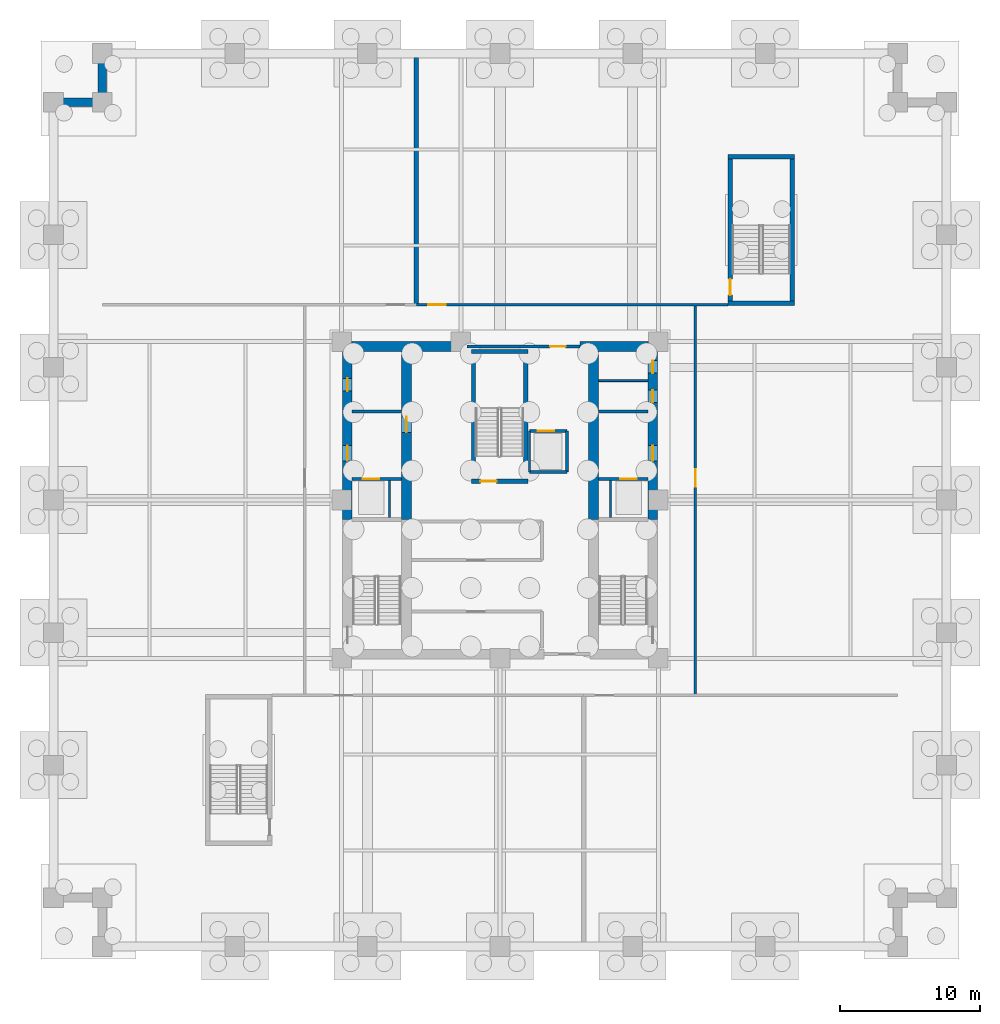
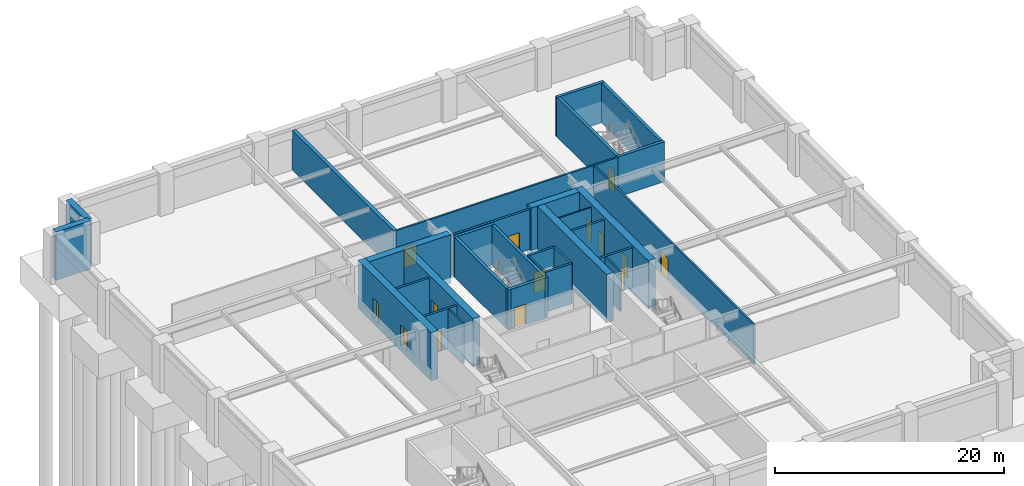
# One storey, part 4 of 8: 31 walls, 14 doors, 14 openings.
"""IFC4 building model written with IfcOpenShell, lengths in metres."""

from ifc_helpers import new_model, si_unit, direction, frame, frame_2d, origin, place, context, subcontext, project, spatial, rectangle, extrude, material, layer, layer_set, type_object, element, fill, save


model = new_model("IFC4")

# Units and contexts
model_context = context("Model", 3, precision=1e-05, world=origin(), true_north=direction((0.0, 1.0)))
body_context = subcontext(model_context, "Body", "Model", "MODEL_VIEW")
ifc_project = project(units=[si_unit("LENGTHUNIT", "METRE"), si_unit("AREAUNIT", "SQUARE_METRE"), si_unit("VOLUMEUNIT", "CUBIC_METRE"), si_unit("PLANEANGLEUNIT", "RADIAN"), si_unit("MASSUNIT", "GRAM", prefix="KILO")], contexts=[model_context])

# Site, building, storey
site_placement = place(None, origin())
site = spatial("IfcSite", under=ifc_project, at=site_placement, CompositionType="ELEMENT")
building_placement = place(site_placement, origin())
building = spatial("IfcBuilding", under=site, at=building_placement, Name="Nhamokura Convention Tower", CompositionType="ELEMENT")
storey_placement = place(building_placement, frame((0.0, 0.0, -9.10009765625)))
storey = spatial("IfcBuildingStorey", under=building, at=storey_placement, Name="B02", CompositionType="ELEMENT", Elevation=-9.10009765625)

# Walls
ifc_material_1 = material(Name="Concrete C50/60", Category="concrete")
ifc_layer_1 = layer(ifc_material_1, 0.60009765625)
ifc_layer_set_1 = layer_set([ifc_layer_1], Name="BasementRetainingWall_600")
wall_type_1 = type_object("IfcWallType", Name="BasementRetainingWall_600", PredefinedType="USERDEFINED", material=ifc_layer_set_1)
for number, where, z_axis, x_axis, name in (
    (1, (3.5, 64.0, -0.599853515625), (0.0, 0.0, 1.0), (0.0, -1.0, 0.0), "B02 Perimeter Retaining Wall 08"),
    (2, (3.5, 60.5, -0.599853515625), (0.0, 0.0, 1.0), (-1.0, 0.0, 0.0), "B02 Perimeter Retaining Wall 09"),
):
    element("IfcWall", number, at=place(storey_placement, frame(where, z_axis=z_axis, x_axis=x_axis)), inside=storey, type_object=wall_type_1, Name=name, ObjectType="RETAININGWALL", PredefinedType="USERDEFINED", context=body_context, shape_type="SweptSolid", body=[
        extrude(rectangle(XDim=3.5, YDim=0.60009765625, at=frame_2d((1.75, 0.0))), origin(), (0.0, 0.0, 1.0), 5.14990234375),
    ])
ifc_material_2 = material(Name="Moisture-resistant tile-backer partition", Category="masonry")
ifc_layer_2 = layer(ifc_material_2, 0.139892578125)
ifc_layer_set_2 = layer_set([ifc_layer_2], Name="BathroomWetWall_140")
wall_type_2 = type_object("IfcWallType", Name="BathroomWetWall_140", PredefinedType="STANDARD", material=ifc_layer_set_2)
wall_1_placement = place(storey_placement, frame((39.06005859375, 40.550048828125, 0.0), z_axis=(0.0, 0.0, 1.0), x_axis=(1.0, 0.0, 0.0)))
element("IfcWall", 3, at=wall_1_placement, inside=storey, type_object=wall_type_2, Name="B02 Wall INT-B02-CWNE", PredefinedType="STANDARD", context=body_context, shape_type="SweptSolid", body=[
    extrude(rectangle(XDim=3.530029296875, YDim=0.139892578125, at=frame_2d((1.76513671875, 0.0))), origin(), (0.0, 0.0, 1.0), 4.25),
])

# Wall, openings, doors
ifc_material_3 = material(Name="Concrete C70/85", Category="concrete")
ifc_layer_3 = layer(ifc_material_3, 0.699951171875)
ifc_layer_set_3 = layer_set([ifc_layer_3], Name="CoreShearWall_700")
wall_type_3 = type_object("IfcWallType", Name="CoreShearWall_700", PredefinedType="SHEAR", material=ifc_layer_set_3)
wall_2_placement = place(storey_placement, frame((21.06005859375, 30.60009765625, -0.599853515625), z_axis=(0.0, 0.0, 1.0), x_axis=(0.0, 1.0, 0.0)))
wall_2 = element("IfcWall", 4, at=wall_2_placement, inside=storey, type_object=wall_type_3, Name="B02 Core Shear Wall CW-WN", PredefinedType="SHEAR", context=body_context, shape_type="SweptSolid", body=[
    extrude(rectangle(XDim=12.75, YDim=0.699951171875, at=frame_2d((6.375, 0.0))), origin(), (0.0, 0.0, 1.0), 5.14990234375),
])
opening_1_placement = place(wall_2_placement, frame((4.199951171875, 0.0, 0.60009765625)))
opening_1 = element("IfcOpeningElement", 5, at=opening_1_placement, cuts=wall_2, Name="Opening D-05", PredefinedType="OPENING", context=body_context, shape_type="SweptSolid", body=[
    extrude(rectangle(XDim=1.10009765625, YDim=2.14990234375, at=frame_2d((0.550048828125, 1.074951171875))), frame((0.0, 0.35986328125, 0.0), z_axis=(0.0, -1.0, 0.0), x_axis=(1.0, 0.0, 0.0)), (0.0, 0.0, 1.0), 0.719970703125),
])
opening_2_placement = place(wall_2_placement, frame((9.199951171875, 0.0, 0.60009765625)))
opening_2 = element("IfcOpeningElement", 6, at=opening_2_placement, cuts=wall_2, Name="Opening D-10", PredefinedType="OPENING", context=body_context, shape_type="SweptSolid", body=[
    extrude(rectangle(XDim=0.919921875, YDim=2.10009765625, at=frame_2d((0.4599609375, 1.050048828125))), frame((0.0, 0.35986328125, 0.0), z_axis=(0.0, -1.0, 0.0), x_axis=(1.0, 0.0, 0.0)), (0.0, 0.0, 1.0), 0.719970703125),
])
ifc_material_4 = material(Name="Solid oak hardwood", Category="wood")
door_type_1 = type_object("IfcDoorType", Name="AccessibleWCDoor_920", OperationType="NOTDEFINED", PredefinedType="DOOR", material=ifc_material_4)
door_1_placement = place(opening_2_placement, origin())
door_1 = element("IfcDoor", 7, at=door_1_placement, inside=storey, type_object=door_type_1, Name="B02 Core Door INT-B02-D-AWC", OperationType="SINGLE_SWING_LEFT", OverallHeight=2.10009765625, OverallWidth=0.919921875, PredefinedType="DOOR", context=body_context, shape_type="SweptSolid", body=[
    extrude(rectangle(XDim=0.919921875, YDim=2.10009765625, at=frame_2d((0.4599609375, 1.050048828125))), frame((0.0, 0.02490234375, 0.0), z_axis=(0.0, -1.0, 0.0), x_axis=(1.0, 0.0, 0.0)), (0.0, 0.0, 1.0), 0.050048828125),
])
fill(opening_2, door_1)
ifc_material_5 = material(Name="Fire-rated steel door", Category="steel")
door_type_2 = type_object("IfcDoorType", Name="FireLobbyDoor_1100", OperationType="NOTDEFINED", PredefinedType="DOOR", material=ifc_material_5)
door_2_placement = place(opening_1_placement, origin())
door_2 = element("IfcDoor", 8, at=door_2_placement, inside=storey, type_object=door_type_2, Name="B02 Core Door INT-B02-D-FFLW", OperationType="SINGLE_SWING_RIGHT", OverallHeight=2.14990234375, OverallWidth=1.10009765625, PredefinedType="DOOR", context=body_context, shape_type="SweptSolid", body=[
    extrude(rectangle(XDim=1.10009765625, YDim=2.14990234375, at=frame_2d((0.550048828125, 1.074951171875))), frame((0.0, 0.02490234375, 0.0), z_axis=(0.0, -1.0, 0.0), x_axis=(1.0, 0.0, 0.0)), (0.0, 0.0, 1.0), 0.050048828125),
])
fill(opening_1, door_2)

wall_3_placement = place(storey_placement, frame((42.93994140625, 30.60009765625, -0.599853515625), z_axis=(0.0, 0.0, 1.0), x_axis=(0.0, 1.0, 0.0)))
wall_3 = element("IfcWall", 9, at=wall_3_placement, inside=storey, type_object=wall_type_3, Name="B02 Core Shear Wall CW-EN", PredefinedType="SHEAR", context=body_context, shape_type="SweptSolid", body=[
    extrude(rectangle(XDim=12.75, YDim=0.699951171875, at=frame_2d((6.375, 0.0))), origin(), (0.0, 0.0, 1.0), 5.14990234375),
])
opening_3_placement = place(wall_3_placement, frame((4.199951171875, 0.0, 0.60009765625)))
opening_3 = element("IfcOpeningElement", 10, at=opening_3_placement, cuts=wall_3, Name="Opening D-05", PredefinedType="OPENING", context=body_context, shape_type="SweptSolid", body=[
    extrude(rectangle(XDim=1.10009765625, YDim=2.14990234375, at=frame_2d((0.550048828125, 1.074951171875))), frame((0.0, 0.35986328125, 0.0), z_axis=(0.0, -1.0, 0.0), x_axis=(1.0, 0.0, 0.0)), (0.0, 0.0, 1.0), 0.719970703125),
])
opening_4_placement = place(wall_3_placement, frame((8.39990234375, 0.0, 0.60009765625)))
opening_4 = element("IfcOpeningElement", 11, at=opening_4_placement, cuts=wall_3, Name="Opening D-11", PredefinedType="OPENING", context=body_context, shape_type="SweptSolid", body=[
    extrude(rectangle(XDim=0.8798828125, YDim=2.10009765625, at=frame_2d((0.43994140625, 1.050048828125))), frame((0.0, 0.35986328125, 0.0), z_axis=(0.0, -1.0, 0.0), x_axis=(1.0, 0.0, 0.0)), (0.0, 0.0, 1.0), 0.719970703125),
])
opening_5_placement = place(wall_3_placement, frame((10.5, 0.0, 0.60009765625)))
opening_5 = element("IfcOpeningElement", 12, at=opening_5_placement, cuts=wall_3, Name="Opening D-11", PredefinedType="OPENING", context=body_context, shape_type="SweptSolid", body=[
    extrude(rectangle(XDim=0.8798828125, YDim=2.10009765625, at=frame_2d((0.43994140625, 1.050048828125))), frame((0.0, 0.35986328125, 0.0), z_axis=(0.0, -1.0, 0.0), x_axis=(1.0, 0.0, 0.0)), (0.0, 0.0, 1.0), 0.719970703125),
])
ifc_material_6 = material(Name="Solid oak hardwood", Category="wood")
door_type_3 = type_object("IfcDoorType", Name="BathroomDoor_880", OperationType="NOTDEFINED", PredefinedType="DOOR", material=ifc_material_6)
door_3_placement = place(opening_4_placement, origin())
door_3 = element("IfcDoor", 13, at=door_3_placement, inside=storey, type_object=door_type_3, Name="B02 Core Door INT-B02-D-MWC", OperationType="SINGLE_SWING_RIGHT", OverallHeight=2.10009765625, OverallWidth=0.8798828125, PredefinedType="DOOR", context=body_context, shape_type="SweptSolid", body=[
    extrude(rectangle(XDim=0.8798828125, YDim=2.10009765625, at=frame_2d((0.43994140625, 1.050048828125))), frame((0.0, 0.02490234375, 0.0), z_axis=(0.0, -1.0, 0.0), x_axis=(1.0, 0.0, 0.0)), (0.0, 0.0, 1.0), 0.050048828125),
])
fill(opening_4, door_3)
door_4_placement = place(opening_5_placement, origin())
door_4 = element("IfcDoor", 14, at=door_4_placement, inside=storey, type_object=door_type_3, Name="B02 Core Door INT-B02-D-FWC", OperationType="SINGLE_SWING_LEFT", OverallHeight=2.10009765625, OverallWidth=0.8798828125, PredefinedType="DOOR", context=body_context, shape_type="SweptSolid", body=[
    extrude(rectangle(XDim=0.8798828125, YDim=2.10009765625, at=frame_2d((0.43994140625, 1.050048828125))), frame((0.0, 0.02490234375, 0.0), z_axis=(0.0, -1.0, 0.0), x_axis=(1.0, 0.0, 0.0)), (0.0, 0.0, 1.0), 0.050048828125),
])
fill(opening_5, door_4)
door_5_placement = place(opening_3_placement, origin())
door_5 = element("IfcDoor", 15, at=door_5_placement, inside=storey, type_object=door_type_2, Name="B02 Core Door INT-B02-D-FFLE", OperationType="SINGLE_SWING_LEFT", OverallHeight=2.14990234375, OverallWidth=1.10009765625, PredefinedType="DOOR", context=body_context, shape_type="SweptSolid", body=[
    extrude(rectangle(XDim=1.10009765625, YDim=2.14990234375, at=frame_2d((0.550048828125, 1.074951171875))), frame((0.0, 0.02490234375, 0.0), z_axis=(0.0, -1.0, 0.0), x_axis=(1.0, 0.0, 0.0)), (0.0, 0.0, 1.0), 0.050048828125),
])
fill(opening_3, door_5)

# Walls
wall_4_placement = place(storey_placement, frame((21.409912109375, 43.0, -0.599853515625), z_axis=(0.0, 0.0, 1.0), x_axis=(1.0, 0.0, 0.0)))
element("IfcWall", 16, at=wall_4_placement, inside=storey, type_object=wall_type_3, Name="B02 Core Shear Wall CW-N1", PredefinedType="SHEAR", context=body_context, shape_type="SweptSolid", body=[
    extrude(rectangle(XDim=8.239990234375, YDim=0.699951171875, at=frame_2d((4.1201171875, 0.0))), origin(), (0.0, 0.0, 1.0), 5.14990234375),
])
wall_5_placement = place(storey_placement, frame((37.75, 43.0, -0.599853515625), z_axis=(0.0, 0.0, 1.0), x_axis=(1.0, 0.0, 0.0)))
element("IfcWall", 17, at=wall_5_placement, inside=storey, type_object=wall_type_3, Name="B02 Core Shear Wall CW-N2", PredefinedType="SHEAR", context=body_context, shape_type="SweptSolid", body=[
    extrude(rectangle(XDim=4.840087890625, YDim=0.699951171875, at=frame_2d((2.419921875, 0.0))), origin(), (0.0, 0.0, 1.0), 5.14990234375),
])

# Wall, opening, door
wall_6_placement = place(storey_placement, frame((25.2900390625, 30.60009765625, -0.599853515625), z_axis=(0.0, 0.0, 1.0), x_axis=(0.0, 1.0, 0.0)))
wall_6 = element("IfcWall", 18, at=wall_6_placement, inside=storey, type_object=wall_type_3, Name="B02 Core Shear Wall CW-IWN", PredefinedType="SHEAR", context=body_context, shape_type="SweptSolid", body=[
    extrude(rectangle(XDim=12.0498046875, YDim=0.699951171875, at=frame_2d((6.02490234375, 0.0))), origin(), (0.0, 0.0, 1.0), 5.14990234375),
])
opening_6_placement = place(wall_6_placement, frame((6.25, 0.0, 0.60009765625)))
opening_6 = element("IfcOpeningElement", 19, at=opening_6_placement, cuts=wall_6, Name="Opening D-05", PredefinedType="OPENING", context=body_context, shape_type="SweptSolid", body=[
    extrude(rectangle(XDim=1.10009765625, YDim=2.14990234375, at=frame_2d((0.550048828125, 1.074951171875))), frame((0.0, 0.35986328125, 0.0), z_axis=(0.0, -1.0, 0.0), x_axis=(1.0, 0.0, 0.0)), (0.0, 0.0, 1.0), 0.719970703125),
])
door_6_placement = place(opening_6_placement, origin())
door_6 = element("IfcDoor", 20, at=door_6_placement, inside=storey, type_object=door_type_2, Name="B02 Core Door INT-B02-D-B3LOB", OperationType="SINGLE_SWING_LEFT", OverallHeight=2.14990234375, OverallWidth=1.10009765625, PredefinedType="DOOR", context=body_context, shape_type="SweptSolid", body=[
    extrude(rectangle(XDim=1.10009765625, YDim=2.14990234375, at=frame_2d((0.550048828125, 1.074951171875))), frame((0.0, 0.02490234375, 0.0), z_axis=(0.0, -1.0, 0.0), x_axis=(1.0, 0.0, 0.0)), (0.0, 0.0, 1.0), 0.050048828125),
])
fill(opening_6, door_6)

# Wall
wall_7_placement = place(storey_placement, frame((38.7099609375, 30.60009765625, -0.599853515625), z_axis=(0.0, 0.0, 1.0), x_axis=(0.0, 1.0, 0.0)))
element("IfcWall", 21, at=wall_7_placement, inside=storey, type_object=wall_type_3, Name="B02 Core Shear Wall CW-IEN", PredefinedType="SHEAR", context=body_context, shape_type="SweptSolid", body=[
    extrude(rectangle(XDim=12.0498046875, YDim=0.699951171875, at=frame_2d((6.02490234375, 0.0))), origin(), (0.0, 0.0, 1.0), 5.14990234375),
])

# Wall, opening, door
ifc_material_7 = material(Name="Fire-rated gypsum and masonry partition", Category="masonry")
ifc_layer_4 = layer(ifc_material_7, 0.179931640625)
ifc_layer_set_4 = layer_set([ifc_layer_4], Name="CorridorRatedWall_180")
wall_type_4 = type_object("IfcWallType", Name="CorridorRatedWall_180", PredefinedType="STANDARD", material=ifc_layer_set_4)
wall_8_placement = place(storey_placement, frame((26.0, 46.0, 0.0), z_axis=(0.0, 0.0, 1.0), x_axis=(1.0, 0.0, 0.0)))
wall_8 = element("IfcWall", 22, at=wall_8_placement, inside=storey, type_object=wall_type_4, Name="B02 Wall INT-B02-CW-N01", PredefinedType="STANDARD", context=body_context, shape_type="SweptSolid", body=[
    extrude(rectangle(XDim=22.35009765625, YDim=0.179931640625, at=frame_2d((11.175048828125, 0.0))), origin(), (0.0, 0.0, 1.0), 4.25),
])
opening_7_placement = place(wall_8_placement, frame((0.85009765625, 0.0, 0.0)))
opening_7 = element("IfcOpeningElement", 23, at=opening_7_placement, cuts=wall_8, Name="Opening D-12", PredefinedType="OPENING", context=body_context, shape_type="SweptSolid", body=[
    extrude(rectangle(XDim=1.25, YDim=2.199951171875, at=frame_2d((0.625, 1.10009765625))), frame((0.0, 0.099853515625, 0.0), z_axis=(0.0, -1.0, 0.0), x_axis=(1.0, 0.0, 0.0)), (0.0, 0.0, 1.0), 0.199951171875),
])
ifc_material_8 = material(Name="Fire-rated steel door", Category="steel")
door_type_4 = type_object("IfcDoorType", Name="PlantServiceDoor_1250", OperationType="NOTDEFINED", PredefinedType="DOOR", material=ifc_material_8)
door_7_placement = place(opening_7_placement, origin())
door_7 = element("IfcDoor", 24, at=door_7_placement, inside=storey, type_object=door_type_4, Name="B02 Water-Cooled Chiller Plant N02 Door", OperationType="SINGLE_SWING_RIGHT", OverallHeight=2.199951171875, OverallWidth=1.25, PredefinedType="DOOR", context=body_context, shape_type="SweptSolid", body=[
    extrude(rectangle(XDim=1.25, YDim=2.199951171875, at=frame_2d((0.625, 1.10009765625))), frame((0.0, 0.02490234375, 0.0), z_axis=(0.0, -1.0, 0.0), x_axis=(1.0, 0.0, 0.0)), (0.0, 0.0, 1.0), 0.050048828125),
])
fill(opening_7, door_7)

wall_9_placement = place(storey_placement, frame((46.0, 18.0, 0.0), z_axis=(0.0, 0.0, 1.0), x_axis=(0.0, 1.0, 0.0)))
wall_9 = element("IfcWall", 25, at=wall_9_placement, inside=storey, type_object=wall_type_4, Name="B02 Wall INT-B02-CW-E00", PredefinedType="STANDARD", context=body_context, shape_type="SweptSolid", body=[
    extrude(rectangle(XDim=28.0, YDim=0.179931640625, at=frame_2d((14.0, 0.0))), origin(), (0.0, 0.0, 1.0), 4.25),
])
opening_8_placement = place(wall_9_placement, frame((14.949951171875, 0.0, 0.0)))
opening_8 = element("IfcOpeningElement", 26, at=opening_8_placement, cuts=wall_9, Name="Opening D-12", PredefinedType="OPENING", context=body_context, shape_type="SweptSolid", body=[
    extrude(rectangle(XDim=1.25, YDim=2.199951171875, at=frame_2d((0.625, 1.10009765625))), frame((0.0, 0.099853515625, 0.0), z_axis=(0.0, -1.0, 0.0), x_axis=(1.0, 0.0, 0.0)), (0.0, 0.0, 1.0), 0.199951171875),
])
door_8_placement = place(opening_8_placement, origin())
door_8 = element("IfcDoor", 27, at=door_8_placement, inside=storey, type_object=door_type_4, Name="B02 Convention Crate Storage E01 Door", OperationType="SINGLE_SWING_LEFT", OverallHeight=2.199951171875, OverallWidth=1.25, PredefinedType="DOOR", context=body_context, shape_type="SweptSolid", body=[
    extrude(rectangle(XDim=1.25, YDim=2.199951171875, at=frame_2d((0.625, 1.10009765625))), frame((0.0, 0.02490234375, 0.0), z_axis=(0.0, -1.0, 0.0), x_axis=(1.0, 0.0, 0.0)), (0.0, 0.0, 1.0), 0.050048828125),
])
fill(opening_8, door_8)

ifc_material_9 = material(Name="Autoclaved concrete blockwork", Category="masonry")
ifc_layer_5 = layer(ifc_material_9, 0.219970703125)
ifc_layer_set_5 = layer_set([ifc_layer_5], Name="FireLobbyWall_220")
wall_type_5 = type_object("IfcWallType", Name="FireLobbyWall_220", PredefinedType="STANDARD", material=ifc_layer_set_5)
wall_10_placement = place(storey_placement, frame((21.409912109375, 33.5, 0.0), z_axis=(0.0, 0.0, 1.0), x_axis=(1.0, 0.0, 0.0)))
wall_10 = element("IfcWall", 28, at=wall_10_placement, inside=storey, type_object=wall_type_5, Name="B02 Wall INT-B02-FFW-S", PredefinedType="STANDARD", context=body_context, shape_type="SweptSolid", body=[
    extrude(rectangle(XDim=3.530029296875, YDim=0.219970703125, at=frame_2d((1.76513671875, 0.0))), origin(), (0.0, 0.0, 1.0), 4.25),
])
opening_9_placement = place(wall_10_placement, frame((0.75, 0.0, 0.0)))
opening_9 = element("IfcOpeningElement", 29, at=opening_9_placement, cuts=wall_10, Name="Opening LD-02", PredefinedType="OPENING", context=body_context, shape_type="SweptSolid", body=[
    extrude(rectangle(XDim=1.199951171875, YDim=2.199951171875, at=frame_2d((0.60009765625, 1.10009765625))), frame((0.0, 0.119873046875, 0.0), z_axis=(0.0, -1.0, 0.0), x_axis=(1.0, 0.0, 0.0)), (0.0, 0.0, 1.0), 0.239990234375),
])
ifc_material_10 = material(Name="Anodised bronze stainless steel", Category="steel")
door_type_5 = type_object("IfcDoorType", Name="LiftLandingDoor_FireService", OperationType="DOUBLE_DOOR_SLIDING", PredefinedType="DOOR", material=ifc_material_10)
door_9_placement = place(opening_9_placement, origin())
door_9 = element("IfcDoor", 30, at=door_9_placement, inside=storey, type_object=door_type_5, Name="B02 Firefighting Lift LF-01 Door", OperationType="DOUBLE_DOOR_SLIDING", OverallHeight=2.199951171875, OverallWidth=1.199951171875, PredefinedType="DOOR", context=body_context, shape_type="SweptSolid", body=[
    extrude(rectangle(XDim=1.199951171875, YDim=2.199951171875, at=frame_2d((0.60009765625, 1.10009765625))), frame((0.0, 0.02490234375, 0.0), z_axis=(0.0, -1.0, 0.0), x_axis=(1.0, 0.0, 0.0)), (0.0, 0.0, 1.0), 0.050048828125),
])
fill(opening_9, door_9)

wall_11_placement = place(storey_placement, frame((39.06005859375, 33.5, 0.0), z_axis=(0.0, 0.0, 1.0), x_axis=(1.0, 0.0, 0.0)))
wall_11 = element("IfcWall", 31, at=wall_11_placement, inside=storey, type_object=wall_type_5, Name="B02 Wall INT-B02-FFE-S", PredefinedType="STANDARD", context=body_context, shape_type="SweptSolid", body=[
    extrude(rectangle(XDim=3.530029296875, YDim=0.219970703125, at=frame_2d((1.76513671875, 0.0))), origin(), (0.0, 0.0, 1.0), 4.25),
])
opening_10_placement = place(wall_11_placement, frame((1.550048828125, 0.0, 0.0)))
opening_10 = element("IfcOpeningElement", 32, at=opening_10_placement, cuts=wall_11, Name="Opening LD-02", PredefinedType="OPENING", context=body_context, shape_type="SweptSolid", body=[
    extrude(rectangle(XDim=1.199951171875, YDim=2.199951171875, at=frame_2d((0.60009765625, 1.10009765625))), frame((0.0, 0.119873046875, 0.0), z_axis=(0.0, -1.0, 0.0), x_axis=(1.0, 0.0, 0.0)), (0.0, 0.0, 1.0), 0.239990234375),
])
door_10_placement = place(opening_10_placement, origin())
door_10 = element("IfcDoor", 33, at=door_10_placement, inside=storey, type_object=door_type_5, Name="B02 Firefighting Lift LF-02 Door", OperationType="DOUBLE_DOOR_SLIDING", OverallHeight=2.199951171875, OverallWidth=1.199951171875, PredefinedType="DOOR", context=body_context, shape_type="SweptSolid", body=[
    extrude(rectangle(XDim=1.199951171875, YDim=2.199951171875, at=frame_2d((0.60009765625, 1.10009765625))), frame((0.0, 0.02490234375, 0.0), z_axis=(0.0, -1.0, 0.0), x_axis=(1.0, 0.0, 0.0)), (0.0, 0.0, 1.0), 0.050048828125),
])
fill(opening_10, door_10)

# Walls
for number, where, z_axis, x_axis, name in (
    (34, (21.409912109375, 38.35009765625, 0.0), (0.0, 0.0, 1.0), (1.0, 0.0, 0.0), "B02 Wall INT-B02-FFW-N"),
    (35, (39.06005859375, 38.35009765625, 0.0), (0.0, 0.0, 1.0), (1.0, 0.0, 0.0), "B02 Wall INT-B02-FFE-N"),
):
    element("IfcWall", number, at=place(storey_placement, frame(where, z_axis=z_axis, x_axis=x_axis)), inside=storey, type_object=wall_type_5, Name=name, PredefinedType="STANDARD", context=body_context, shape_type="SweptSolid", body=[
        extrude(rectangle(XDim=3.530029296875, YDim=0.219970703125, at=frame_2d((1.76513671875, 0.0))), origin(), (0.0, 0.0, 1.0), 4.25),
    ])

# Wall, opening, door
wall_12_placement = place(storey_placement, frame((29.64990234375, 43.0, 0.0), z_axis=(0.0, 0.0, 1.0), x_axis=(1.0, 0.0, 0.0)))
wall_12 = element("IfcWall", 36, at=wall_12_placement, inside=storey, type_object=wall_type_5, Name="B02 Wall INT-B02-CPORT-N", PredefinedType="STANDARD", context=body_context, shape_type="SweptSolid", body=[
    extrude(rectangle(XDim=8.10009765625, YDim=0.219970703125, at=frame_2d((4.050048828125, 0.0))), origin(), (0.0, 0.0, 1.0), 4.25),
])
opening_11_placement = place(wall_12_placement, frame((5.949951171875, 0.0, 0.0)))
opening_11 = element("IfcOpeningElement", 37, at=opening_11_placement, cuts=wall_12, Name="Opening D-05", PredefinedType="OPENING", context=body_context, shape_type="SweptSolid", body=[
    extrude(rectangle(XDim=1.10009765625, YDim=2.14990234375, at=frame_2d((0.550048828125, 1.074951171875))), frame((0.0, 0.119873046875, 0.0), z_axis=(0.0, -1.0, 0.0), x_axis=(1.0, 0.0, 0.0)), (0.0, 0.0, 1.0), 0.239990234375),
])
door_11_placement = place(opening_11_placement, origin())
door_11 = element("IfcDoor", 38, at=door_11_placement, inside=storey, type_object=door_type_2, Name="B02 North Core Lobby Portal Door", OperationType="SINGLE_SWING_RIGHT", OverallHeight=2.14990234375, OverallWidth=1.10009765625, PredefinedType="DOOR", context=body_context, shape_type="SweptSolid", body=[
    extrude(rectangle(XDim=1.10009765625, YDim=2.14990234375, at=frame_2d((0.550048828125, 1.074951171875))), frame((0.0, 0.02490234375, 0.0), z_axis=(0.0, -1.0, 0.0), x_axis=(1.0, 0.0, 0.0)), (0.0, 0.0, 1.0), 0.050048828125),
])
fill(opening_11, door_11)

wall_13_placement = place(storey_placement, frame((34.1201171875, 36.949951171875, 0.0), z_axis=(0.0, 0.0, 1.0), x_axis=(1.0, 0.0, 0.0)))
wall_13 = element("IfcWall", 39, at=wall_13_placement, inside=storey, type_object=wall_type_5, Name="B02 Wall INT-B02-LSN", PredefinedType="STANDARD", context=body_context, shape_type="SweptSolid", body=[
    extrude(rectangle(XDim=2.679931640625, YDim=0.219970703125, at=frame_2d((1.33984375, 0.0))), origin(), (0.0, 0.0, 1.0), 4.25),
])
opening_12_placement = place(wall_13_placement, frame((0.580078125, 0.0, 0.0)))
opening_12 = element("IfcOpeningElement", 40, at=opening_12_placement, cuts=wall_13, Name="Opening LD-02", PredefinedType="OPENING", context=body_context, shape_type="SweptSolid", body=[
    extrude(rectangle(XDim=1.199951171875, YDim=2.199951171875, at=frame_2d((0.60009765625, 1.10009765625))), frame((0.0, 0.119873046875, 0.0), z_axis=(0.0, -1.0, 0.0), x_axis=(1.0, 0.0, 0.0)), (0.0, 0.0, 1.0), 0.239990234375),
])
door_12_placement = place(opening_12_placement, origin())
door_12 = element("IfcDoor", 41, at=door_12_placement, inside=storey, type_object=door_type_5, Name="B02 Service Lift LS-01 Door", OperationType="DOUBLE_DOOR_SLIDING", OverallHeight=2.199951171875, OverallWidth=1.199951171875, PredefinedType="DOOR", context=body_context, shape_type="SweptSolid", body=[
    extrude(rectangle(XDim=1.199951171875, YDim=2.199951171875, at=frame_2d((0.60009765625, 1.10009765625))), frame((0.0, 0.02490234375, 0.0), z_axis=(0.0, -1.0, 0.0), x_axis=(1.0, 0.0, 0.0)), (0.0, 0.0, 1.0), 0.050048828125),
])
fill(opening_12, door_12)

# Walls
wall_14_placement = place(storey_placement, frame((36.800048828125, 34.02001953125, 0.0), z_axis=(0.0, 0.0, 1.0), x_axis=(0.0, 1.0, 0.0)))
element("IfcWall", 42, at=wall_14_placement, inside=storey, type_object=wall_type_5, Name="B02 Wall INT-B02-LSE", PredefinedType="STANDARD", context=body_context, shape_type="SweptSolid", body=[
    extrude(rectangle(XDim=2.929931640625, YDim=0.219970703125, at=frame_2d((1.46484375, 0.0))), origin(), (0.0, 0.0, 1.0), 4.25),
])
wall_15_placement = place(storey_placement, frame((34.1201171875, 34.02001953125, 0.0), z_axis=(0.0, 0.0, 1.0), x_axis=(1.0, 0.0, 0.0)))
element("IfcWall", 43, at=wall_15_placement, inside=storey, type_object=wall_type_5, Name="B02 Wall INT-B02-LSS", PredefinedType="STANDARD", context=body_context, shape_type="SweptSolid", body=[
    extrude(rectangle(XDim=2.679931640625, YDim=0.219970703125, at=frame_2d((1.33984375, 0.0))), origin(), (0.0, 0.0, 1.0), 4.25),
])
ifc_material_11 = material(Name="Concrete C50/60", Category="concrete")
ifc_layer_6 = layer(ifc_material_11, 0.35009765625)
ifc_layer_set_6 = layer_set([ifc_layer_6], Name="FirewallPlant_350")
wall_type_6 = type_object("IfcWallType", Name="FirewallPlant_350", PredefinedType="STANDARD", material=ifc_layer_set_6)
wall_16_placement = place(storey_placement, frame((26.0, 46.0, 0.0), z_axis=(0.0, 0.0, 1.0), x_axis=(0.0, 1.0, 0.0)))
element("IfcWall", 44, at=wall_16_placement, inside=storey, type_object=wall_type_6, Name="B02 Wall INT-B02-RW-N01", PredefinedType="STANDARD", context=body_context, shape_type="SweptSolid", body=[
    extrude(rectangle(XDim=17.699951171875, YDim=0.35009765625, at=frame_2d((8.85009765625, 0.0))), origin(), (0.0, 0.0, 1.0), 4.25),
])
ifc_material_12 = material(Name="Acoustic gypsum stud partition", Category="masonry")
ifc_layer_7 = layer(ifc_material_12, 0.14990234375)
ifc_layer_set_7 = layer_set([ifc_layer_7], Name="InteriorPartition_150")
wall_type_7 = type_object("IfcWallType", Name="InteriorPartition_150", PredefinedType="STANDARD", material=ifc_layer_set_7)
for number, where, z_axis, x_axis, name in (
    (45, (24.080078125, 30.75, 0.0), (0.0, 0.0, 1.0), (0.0, 1.0, 0.0), "B02 Wall INT-B02-FF1-E"),
    (46, (39.919921875, 30.75, 0.0), (0.0, 0.0, 1.0), (0.0, 1.0, 0.0), "B02 Wall INT-B02-FF2-W"),
):
    element("IfcWall", number, at=place(storey_placement, frame(where, z_axis=z_axis, x_axis=x_axis)), inside=storey, type_object=wall_type_7, Name=name, PredefinedType="STANDARD", context=body_context, shape_type="SweptSolid", body=[
        extrude(rectangle(XDim=2.64990234375, YDim=0.14990234375, at=frame_2d((1.324951171875, 0.0))), origin(), (0.0, 0.0, 1.0), 4.25),
    ])
wall_17_placement = place(storey_placement, frame((34.1201171875, 34.02001953125, 0.0), z_axis=(0.0, 0.0, 1.0), x_axis=(0.0, 1.0, 0.0)))
element("IfcWall", 47, at=wall_17_placement, inside=storey, type_object=wall_type_7, Name="B02 Wall INT-B02-LSW", PredefinedType="STANDARD", context=body_context, shape_type="SweptSolid", body=[
    extrude(rectangle(XDim=2.929931640625, YDim=0.14990234375, at=frame_2d((1.46484375, 0.0))), origin(), (0.0, 0.0, 1.0), 4.25),
])
ifc_material_13 = material(Name="Concrete C50/60", Category="concrete")
ifc_layer_8 = layer(ifc_material_13, 0.300048828125)
ifc_layer_set_8 = layer_set([ifc_layer_8], Name="ShaftEnclosureWall_300")
wall_type_8 = type_object("IfcWallType", Name="ShaftEnclosureWall_300", PredefinedType="SHEAR", material=ifc_layer_set_8)
for number, where, z_axis, x_axis, name in (
    (48, (30.10009765625, 33.199951171875, 0.0), (0.0, 0.0, 1.0), (0.0, 1.0, 0.0), "B02 Wall INT-B02-ST03W"),
    (49, (33.85009765625, 33.199951171875, 0.0), (0.0, 0.0, 1.0), (0.0, 1.0, 0.0), "B02 Wall INT-B02-ST03E"),
):
    element("IfcWall", number, at=place(storey_placement, frame(where, z_axis=z_axis, x_axis=x_axis)), inside=storey, type_object=wall_type_8, Name=name, PredefinedType="SHEAR", context=body_context, shape_type="SweptSolid", body=[
        extrude(rectangle(XDim=9.60009765625, YDim=0.300048828125, at=frame_2d((4.800048828125, 0.0))), origin(), (0.0, 0.0, 1.0), 4.25),
    ])

# Wall, opening, door
wall_18_placement = place(storey_placement, frame((29.949951171875, 33.35009765625, 0.0), z_axis=(0.0, 0.0, 1.0), x_axis=(1.0, 0.0, 0.0)))
wall_18 = element("IfcWall", 50, at=wall_18_placement, inside=storey, type_object=wall_type_8, Name="B02 Wall INT-B02-ST03S", PredefinedType="SHEAR", context=body_context, shape_type="SweptSolid", body=[
    extrude(rectangle(XDim=4.050048828125, YDim=0.300048828125, at=frame_2d((2.02490234375, 0.0))), origin(), (0.0, 0.0, 1.0), 4.25),
])
opening_13_placement = place(wall_18_placement, frame((0.64990234375, 0.0, 0.0)))
opening_13 = element("IfcOpeningElement", 51, at=opening_13_placement, cuts=wall_18, Name="Opening D-04", PredefinedType="OPENING", context=body_context, shape_type="SweptSolid", body=[
    extrude(rectangle(XDim=1.14990234375, YDim=2.14990234375, at=frame_2d((0.574951171875, 1.074951171875))), frame((0.0, 0.159912109375, 0.0), z_axis=(0.0, -1.0, 0.0), x_axis=(1.0, 0.0, 0.0)), (0.0, 0.0, 1.0), 0.320068359375),
])
ifc_material_14 = material(Name="Fire-rated steel door", Category="steel")
door_type_6 = type_object("IfcDoorType", Name="StairSmokeDoor_1150", OperationType="NOTDEFINED", PredefinedType="DOOR", material=ifc_material_14)
door_13_placement = place(opening_13_placement, origin())
door_13 = element("IfcDoor", 52, at=door_13_placement, inside=storey, type_object=door_type_6, Name="B02 Stair ST-03 Smoke Door", OperationType="SINGLE_SWING_LEFT", OverallHeight=2.14990234375, OverallWidth=1.14990234375, PredefinedType="DOOR", context=body_context, shape_type="SweptSolid", body=[
    extrude(rectangle(XDim=1.14990234375, YDim=2.14990234375, at=frame_2d((0.574951171875, 1.074951171875))), frame((0.0, 0.02490234375, 0.0), z_axis=(0.0, -1.0, 0.0), x_axis=(1.0, 0.0, 0.0)), (0.0, 0.0, 1.0), 0.050048828125),
])
fill(opening_13, door_13)

# Wall
wall_19_placement = place(storey_placement, frame((29.949951171875, 42.64990234375, 0.0), z_axis=(0.0, 0.0, 1.0), x_axis=(1.0, 0.0, 0.0)))
element("IfcWall", 53, at=wall_19_placement, inside=storey, type_object=wall_type_8, Name="B02 Wall INT-B02-ST03N", PredefinedType="SHEAR", context=body_context, shape_type="SweptSolid", body=[
    extrude(rectangle(XDim=4.050048828125, YDim=0.300048828125, at=frame_2d((2.02490234375, 0.0))), origin(), (0.0, 0.0, 1.0), 4.25),
])

# Wall, opening, door
wall_20_placement = place(storey_placement, frame((48.5, 46.10009765625, 0.0), z_axis=(0.0, 0.0, 1.0), x_axis=(0.0, 1.0, 0.0)))
wall_20 = element("IfcWall", 54, at=wall_20_placement, inside=storey, type_object=wall_type_8, Name="B02 Wall INT-B02-ST05-W", PredefinedType="SHEAR", context=body_context, shape_type="SweptSolid", body=[
    extrude(rectangle(XDim=10.5, YDim=0.300048828125, at=frame_2d((5.25, 0.0))), origin(), (0.0, 0.0, 1.0), 4.25),
])
opening_14_placement = place(wall_20_placement, frame((0.580078125, 0.0, 0.0)))
opening_14 = element("IfcOpeningElement", 55, at=opening_14_placement, cuts=wall_20, Name="Opening D-04", PredefinedType="OPENING", context=body_context, shape_type="SweptSolid", body=[
    extrude(rectangle(XDim=1.14990234375, YDim=2.14990234375, at=frame_2d((0.574951171875, 1.074951171875))), frame((0.0, 0.159912109375, 0.0), z_axis=(0.0, -1.0, 0.0), x_axis=(1.0, 0.0, 0.0)), (0.0, 0.0, 1.0), 0.320068359375),
])
door_14_placement = place(opening_14_placement, origin())
door_14 = element("IfcDoor", 56, at=door_14_placement, inside=storey, type_object=door_type_6, Name="B02 Stair ST-05 Smoke Door", OperationType="SINGLE_SWING_LEFT", OverallHeight=2.14990234375, OverallWidth=1.14990234375, PredefinedType="DOOR", context=body_context, shape_type="SweptSolid", body=[
    extrude(rectangle(XDim=1.14990234375, YDim=2.14990234375, at=frame_2d((0.574951171875, 1.074951171875))), frame((0.0, 0.02490234375, 0.0), z_axis=(0.0, -1.0, 0.0), x_axis=(1.0, 0.0, 0.0)), (0.0, 0.0, 1.0), 0.050048828125),
])
fill(opening_14, door_14)

# Walls
wall_21_placement = place(storey_placement, frame((52.949951171875, 46.10009765625, 0.0), z_axis=(0.0, 0.0, 1.0), x_axis=(0.0, 1.0, 0.0)))
element("IfcWall", 57, at=wall_21_placement, inside=storey, type_object=wall_type_8, Name="B02 Wall INT-B02-ST05-E", PredefinedType="SHEAR", context=body_context, shape_type="SweptSolid", body=[
    extrude(rectangle(XDim=10.5, YDim=0.300048828125, at=frame_2d((5.25, 0.0))), origin(), (0.0, 0.0, 1.0), 4.25),
])
for number, where, z_axis, x_axis, name in (
    (58, (48.35009765625, 46.10009765625, 0.0), (0.0, 0.0, 1.0), (1.0, 0.0, 0.0), "B02 Wall INT-B02-ST05-S"),
    (59, (48.35009765625, 56.60009765625, 0.0), (0.0, 0.0, 1.0), (1.0, 0.0, 0.0), "B02 Wall INT-B02-ST05-N"),
):
    element("IfcWall", number, at=place(storey_placement, frame(where, z_axis=z_axis, x_axis=x_axis)), inside=storey, type_object=wall_type_8, Name=name, PredefinedType="SHEAR", context=body_context, shape_type="SweptSolid", body=[
        extrude(rectangle(XDim=4.75, YDim=0.300048828125, at=frame_2d((2.375, 0.0))), origin(), (0.0, 0.0, 1.0), 4.25),
    ])

save(model, "model.ifc")
